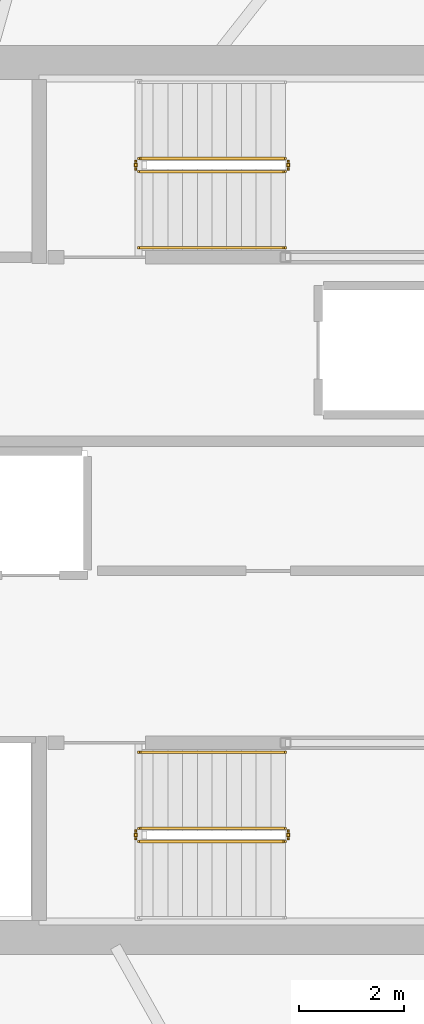
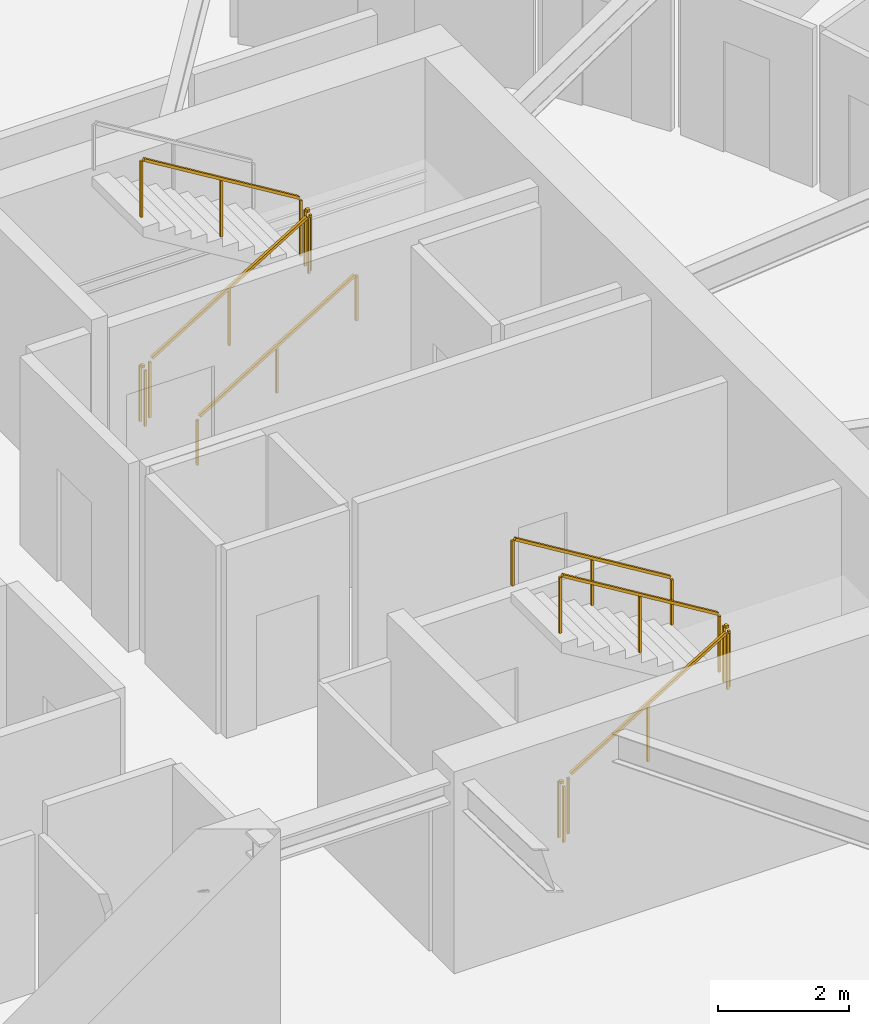
# One storey, part 20 of 21: 10 railings.
"""IFC4 building model written with IfcOpenShell, lengths in metres."""

from ifc_helpers import new_model, si_unit, direction, frame, origin, origin_2d, place, context, subcontext, project, spatial, rectangle, extrude, material, type_object, element, save


model = new_model("IFC4")

# Units and contexts
model_context = context("Model", 3, precision=1e-05, world=origin(), true_north=direction((0.0, 1.0)))
body_context = subcontext(model_context, "Body", "Model", "MODEL_VIEW")
ifc_project = project(units=[si_unit("LENGTHUNIT", "METRE"), si_unit("AREAUNIT", "SQUARE_METRE"), si_unit("VOLUMEUNIT", "CUBIC_METRE"), si_unit("PLANEANGLEUNIT", "RADIAN"), si_unit("MASSUNIT", "GRAM", prefix="KILO")], contexts=[model_context])

# Site, building, storey
site_placement = place(None, origin())
site = spatial("IfcSite", under=ifc_project, at=site_placement, CompositionType="ELEMENT")
building_placement = place(site_placement, origin())
building = spatial("IfcBuilding", under=site, at=building_placement, Name="Kazma Halo Residences", CompositionType="ELEMENT")
storey_placement = place(building_placement, frame((0.0, 0.0, 195.300048828125)))
storey = spatial("IfcBuildingStorey", under=building, at=storey_placement, Name="L49", CompositionType="ELEMENT", Elevation=195.300048828125)

# Railings
ifc_material_1 = material(Name="Painted Steel S355", Category="steel")
railing_type_1 = type_object("IfcRailingType", Name="RLG-STAIR-GRD-1100", PredefinedType="GUARDRAIL", material=ifc_material_1)
railing_1_placement = place(storey_placement, frame((53.199951171875, 48.25, 0.17041015625)))
element("IfcRailing", 1, at=railing_1_placement, inside=storey, type_object=railing_type_1, Name="L49 ST-02 stair guard 1", PredefinedType="GUARDRAIL", context=body_context, shape_type="SweptSolid", body=[
    extrude(rectangle(XDim=0.050048828125, YDim=0.050048828125, at=origin_2d()), frame((0.036376953125, 0.0, 1.09716796875), z_axis=(0.854169791009, 0.0, 0.51999420009), x_axis=(0.0, 1.0, 0.0)), (0.0, 0.0, 1.0), 3.193115234375),
    extrude(rectangle(XDim=0.0400390625, YDim=0.0400390625, at=origin_2d()), origin(), (0.0, 0.0, 1.0), 1.0380859375),
    extrude(rectangle(XDim=0.0400390625, YDim=0.0400390625, at=origin_2d()), frame((1.39990234375, 0.0, 0.852294921875)), (0.0, 0.0, 1.0), 1.0380859375),
    extrude(rectangle(XDim=0.0400390625, YDim=0.0400390625, at=origin_2d()), frame((2.800048828125, 0.0, 1.70458984375)), (0.0, 0.0, 1.0), 1.0380859375),
])
railing_2_placement = place(storey_placement, frame((56.050048828125, 48.300048828125, 1.875)))
element("IfcRailing", 2, at=railing_2_placement, inside=storey, type_object=railing_type_1, Name="L49 ST-02 stair guard 2", PredefinedType="GUARDRAIL", context=body_context, shape_type="SweptSolid", body=[
    extrude(rectangle(XDim=0.050048828125, YDim=0.050048828125, at=origin_2d()), frame((0.0, 0.04248046875, 1.0751953125), z_axis=(0.0, 1.0, 0.0), x_axis=(-1.0, 0.0, 0.0)), (0.0, 0.0, 1.0), 0.06494140625),
    extrude(rectangle(XDim=0.0400390625, YDim=0.0400390625, at=origin_2d()), origin(), (0.0, 0.0, 1.0), 1.0380859375),
    extrude(rectangle(XDim=0.0400390625, YDim=0.0400390625, at=origin_2d()), frame((0.0, 0.14990234375, 0.0)), (0.0, 0.0, 1.0), 1.0380859375),
])
railing_3_placement = place(storey_placement, frame((56.0, 48.5, 2.04541015625)))
element("IfcRailing", 3, at=railing_3_placement, inside=storey, type_object=railing_type_1, Name="L49 ST-02 stair guard 3", PredefinedType="GUARDRAIL", context=body_context, shape_type="SweptSolid", body=[
    extrude(rectangle(XDim=0.050048828125, YDim=0.050048828125, at=origin_2d()), frame((-0.036376953125, 0.0, 1.09716796875), z_axis=(-0.854169791009, 0.0, 0.51999420009), x_axis=(0.0, -1.0, 0.0)), (0.0, 0.0, 1.0), 3.193115234375),
    extrude(rectangle(XDim=0.0400390625, YDim=0.0400390625, at=origin_2d()), origin(), (0.0, 0.0, 1.0), 1.0380859375),
    extrude(rectangle(XDim=0.0400390625, YDim=0.0400390625, at=origin_2d()), frame((-1.39990234375, 0.0, 0.852294921875)), (0.0, 0.0, 1.0), 1.0380859375),
    extrude(rectangle(XDim=0.0400390625, YDim=0.0400390625, at=origin_2d()), frame((-2.800048828125, 0.0, 1.70458984375)), (0.0, 0.0, 1.0), 1.0380859375),
])
railing_4_placement = place(storey_placement, frame((53.14990234375, 48.300048828125, 0.0)))
element("IfcRailing", 4, at=railing_4_placement, inside=storey, type_object=railing_type_1, Name="L49 ST-02 stair guard 4", PredefinedType="GUARDRAIL", context=body_context, shape_type="SweptSolid", body=[
    extrude(rectangle(XDim=0.050048828125, YDim=0.050048828125, at=origin_2d()), frame((0.0, 0.04248046875, 1.0751953125), z_axis=(0.0, 1.0, 0.0), x_axis=(-1.0, 0.0, 0.0)), (0.0, 0.0, 1.0), 0.06494140625),
    extrude(rectangle(XDim=0.0400390625, YDim=0.0400390625, at=origin_2d()), origin(), (0.0, 0.0, 1.0), 1.0380859375),
    extrude(rectangle(XDim=0.0400390625, YDim=0.0400390625, at=origin_2d()), frame((0.0, 0.14990234375, 0.0)), (0.0, 0.0, 1.0), 1.0380859375),
])
railing_5_placement = place(storey_placement, frame((53.199951171875, 35.5, 0.17041015625)))
element("IfcRailing", 5, at=railing_5_placement, inside=storey, type_object=railing_type_1, Name="L49 ST-03 stair guard 1", PredefinedType="GUARDRAIL", context=body_context, shape_type="SweptSolid", body=[
    extrude(rectangle(XDim=0.050048828125, YDim=0.050048828125, at=origin_2d()), frame((0.036376953125, 0.0, 1.09716796875), z_axis=(0.854169791009, 0.0, 0.51999420009), x_axis=(0.0, 1.0, 0.0)), (0.0, 0.0, 1.0), 3.193115234375),
    extrude(rectangle(XDim=0.0400390625, YDim=0.0400390625, at=origin_2d()), origin(), (0.0, 0.0, 1.0), 1.0380859375),
    extrude(rectangle(XDim=0.0400390625, YDim=0.0400390625, at=origin_2d()), frame((1.39990234375, 0.0, 0.852294921875)), (0.0, 0.0, 1.0), 1.0380859375),
    extrude(rectangle(XDim=0.0400390625, YDim=0.0400390625, at=origin_2d()), frame((2.800048828125, 0.0, 1.70458984375)), (0.0, 0.0, 1.0), 1.0380859375),
])
railing_6_placement = place(storey_placement, frame((56.050048828125, 35.550048828125, 1.875)))
element("IfcRailing", 6, at=railing_6_placement, inside=storey, type_object=railing_type_1, Name="L49 ST-03 stair guard 2", PredefinedType="GUARDRAIL", context=body_context, shape_type="SweptSolid", body=[
    extrude(rectangle(XDim=0.050048828125, YDim=0.050048828125, at=origin_2d()), frame((0.0, 0.04248046875, 1.0751953125), z_axis=(0.0, 1.0, 0.0), x_axis=(-1.0, 0.0, 0.0)), (0.0, 0.0, 1.0), 0.06494140625),
    extrude(rectangle(XDim=0.0400390625, YDim=0.0400390625, at=origin_2d()), origin(), (0.0, 0.0, 1.0), 1.0380859375),
    extrude(rectangle(XDim=0.0400390625, YDim=0.0400390625, at=origin_2d()), frame((0.0, 0.14990234375, 0.0)), (0.0, 0.0, 1.0), 1.0380859375),
])
railing_7_placement = place(storey_placement, frame((56.0, 35.75, 2.04541015625)))
element("IfcRailing", 7, at=railing_7_placement, inside=storey, type_object=railing_type_1, Name="L49 ST-03 stair guard 3", PredefinedType="GUARDRAIL", context=body_context, shape_type="SweptSolid", body=[
    extrude(rectangle(XDim=0.050048828125, YDim=0.050048828125, at=origin_2d()), frame((-0.036376953125, 0.0, 1.09716796875), z_axis=(-0.854169791009, 0.0, 0.51999420009), x_axis=(0.0, -1.0, 0.0)), (0.0, 0.0, 1.0), 3.193115234375),
    extrude(rectangle(XDim=0.0400390625, YDim=0.0400390625, at=origin_2d()), origin(), (0.0, 0.0, 1.0), 1.0380859375),
    extrude(rectangle(XDim=0.0400390625, YDim=0.0400390625, at=origin_2d()), frame((-1.39990234375, 0.0, 0.852294921875)), (0.0, 0.0, 1.0), 1.0380859375),
    extrude(rectangle(XDim=0.0400390625, YDim=0.0400390625, at=origin_2d()), frame((-2.800048828125, 0.0, 1.70458984375)), (0.0, 0.0, 1.0), 1.0380859375),
])
railing_8_placement = place(storey_placement, frame((53.14990234375, 35.550048828125, 0.0)))
element("IfcRailing", 8, at=railing_8_placement, inside=storey, type_object=railing_type_1, Name="L49 ST-03 stair guard 4", PredefinedType="GUARDRAIL", context=body_context, shape_type="SweptSolid", body=[
    extrude(rectangle(XDim=0.050048828125, YDim=0.050048828125, at=origin_2d()), frame((0.0, 0.04248046875, 1.0751953125), z_axis=(0.0, 1.0, 0.0), x_axis=(-1.0, 0.0, 0.0)), (0.0, 0.0, 1.0), 0.06494140625),
    extrude(rectangle(XDim=0.0400390625, YDim=0.0400390625, at=origin_2d()), origin(), (0.0, 0.0, 1.0), 1.0380859375),
    extrude(rectangle(XDim=0.0400390625, YDim=0.0400390625, at=origin_2d()), frame((0.0, 0.14990234375, 0.0)), (0.0, 0.0, 1.0), 1.0380859375),
])
ifc_material_2 = material(Name="Brushed Stainless Steel", Category="steel")
railing_type_2 = type_object("IfcRailingType", Name="RLG-STAIR-HND-900", PredefinedType="HANDRAIL", material=ifc_material_2)
railing_9_placement = place(storey_placement, frame((53.199951171875, 46.800048828125, 0.17041015625)))
element("IfcRailing", 9, at=railing_9_placement, inside=storey, type_object=railing_type_2, Name="L49 ST-02 stair handrail 1", PredefinedType="HANDRAIL", context=body_context, shape_type="SweptSolid", body=[
    extrude(rectangle(XDim=0.050048828125, YDim=0.050048828125, at=origin_2d()), frame((0.036376953125, 0.0, 0.89697265625), z_axis=(0.854169791009, 0.0, 0.51999420009), x_axis=(0.0, 1.0, 0.0)), (0.0, 0.0, 1.0), 3.193115234375),
    extrude(rectangle(XDim=0.0400390625, YDim=0.0400390625, at=origin_2d()), origin(), (0.0, 0.0, 1.0), 0.837890625),
    extrude(rectangle(XDim=0.0400390625, YDim=0.0400390625, at=origin_2d()), frame((1.39990234375, 0.0, 0.852294921875)), (0.0, 0.0, 1.0), 0.837890625),
    extrude(rectangle(XDim=0.0400390625, YDim=0.0400390625, at=origin_2d()), frame((2.800048828125, 0.0, 1.70458984375)), (0.0, 0.0, 1.0), 0.837890625),
])
railing_10_placement = place(storey_placement, frame((56.0, 37.199951171875, 2.04541015625)))
element("IfcRailing", 10, at=railing_10_placement, inside=storey, type_object=railing_type_2, Name="L49 ST-03 stair handrail 2", PredefinedType="HANDRAIL", context=body_context, shape_type="SweptSolid", body=[
    extrude(rectangle(XDim=0.050048828125, YDim=0.050048828125, at=origin_2d()), frame((-0.036376953125, 0.0, 0.89697265625), z_axis=(-0.854169791009, 0.0, 0.51999420009), x_axis=(0.0, -1.0, 0.0)), (0.0, 0.0, 1.0), 3.193115234375),
    extrude(rectangle(XDim=0.0400390625, YDim=0.0400390625, at=origin_2d()), origin(), (0.0, 0.0, 1.0), 0.837890625),
    extrude(rectangle(XDim=0.0400390625, YDim=0.0400390625, at=origin_2d()), frame((-1.39990234375, 0.0, 0.852294921875)), (0.0, 0.0, 1.0), 0.837890625),
    extrude(rectangle(XDim=0.0400390625, YDim=0.0400390625, at=origin_2d()), frame((-2.800048828125, 0.0, 1.70458984375)), (0.0, 0.0, 1.0), 0.837890625),
])

save(model, "model.ifc")
